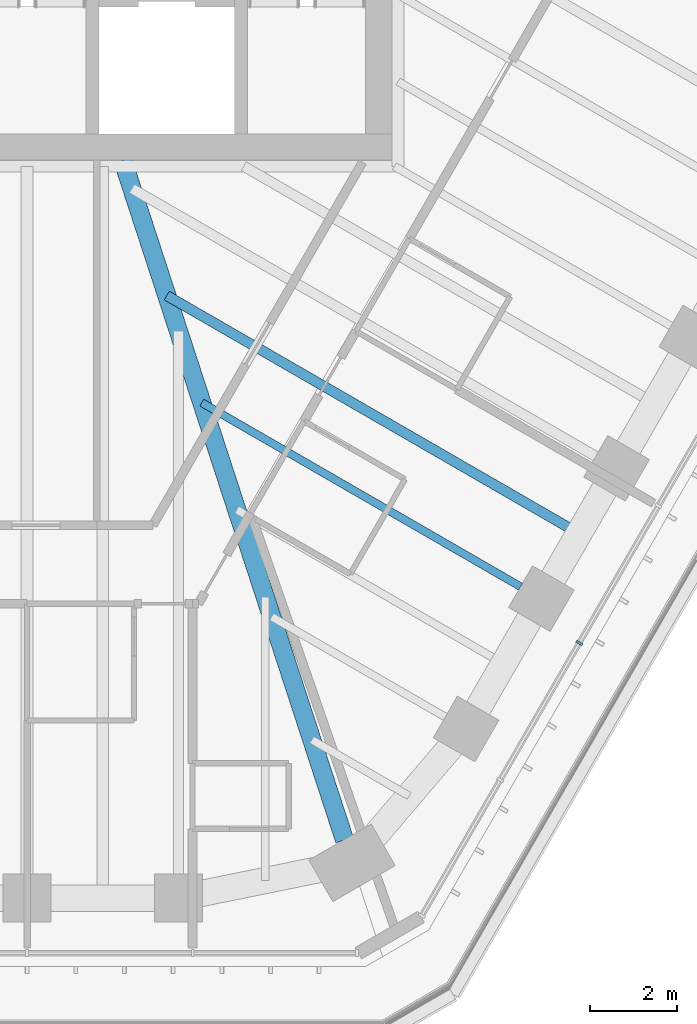
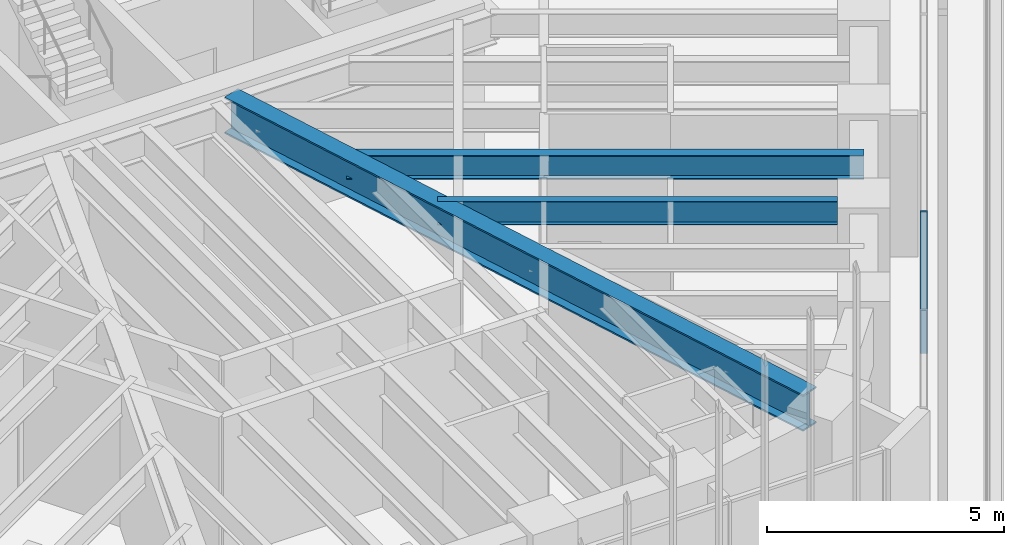
# One storey, part 37 of 127: 3 beams, 1 member, 1 element without a shape of its own.
"""IFC4 building model written with IfcOpenShell, lengths in metres."""

from ifc_helpers import new_model, si_unit, direction, frame, origin, origin_2d, place, context, subcontext, project, spatial, rectangle, i_section, extrude, material, material_profile, profile_set, type_object, element, aggregate, save


model = new_model("IFC4")

# Units and contexts
model_context = context("Model", 3, precision=1e-05, world=origin(), true_north=direction((0.0, 1.0)))
body_context = subcontext(model_context, "Body", "Model", "MODEL_VIEW")
ifc_project = project(units=[si_unit("LENGTHUNIT", "METRE"), si_unit("AREAUNIT", "SQUARE_METRE"), si_unit("VOLUMEUNIT", "CUBIC_METRE"), si_unit("PLANEANGLEUNIT", "RADIAN"), si_unit("MASSUNIT", "GRAM", prefix="KILO")], contexts=[model_context])

# Site, building, storey
site_placement = place(None, origin())
site = spatial("IfcSite", under=ifc_project, at=site_placement, CompositionType="ELEMENT")
building_placement = place(site_placement, origin())
building = spatial("IfcBuilding", under=site, at=building_placement, Name="Sandreach Pilgrim Tower", CompositionType="ELEMENT")
storey_placement = place(building_placement, frame((0.0, 0.0, 257.0)))
storey = spatial("IfcBuildingStorey", under=building, at=storey_placement, Name="L64", CompositionType="ELEMENT", Elevation=257.0)

# Curtain wall, member
ifc_material_1 = material(Name="Aluminium framed curtain wall", Category="aluminium")
curtain_wall_type = type_object("IfcCurtainWallType", Name="Suite tower curtain wall", PredefinedType="NOTDEFINED", material=ifc_material_1)
curtain_wall_placement = place(storey_placement, origin())
curtain_wall = element("IfcCurtainWall", 1, at=curtain_wall_placement, inside=storey, type_object=curtain_wall_type, Name="CW-4 L64 SE", PredefinedType="NOTDEFINED")
ifc_material_2 = material(Name="Aluminium extrusion", Category="aluminium")
ifc_material_profile_1 = material_profile(ifc_material_2, rectangle(XDim=0.06005859375, YDim=0.159912109375, at=origin_2d()), Name="CW-4M 60X160")
ifc_profile_set_1 = profile_set([ifc_material_profile_1], Name="Aluminium extrusion")
member_type = type_object("IfcMemberType", Name="CW-4 mullion", PredefinedType="MULLION", material=ifc_profile_set_1)
member_placement = place(storey_placement, frame((12.642822265625, -17.7548828125, 0.0), z_axis=(0.0, 0.0, 1.0), x_axis=(-0.5, -0.866025403784, 0.0)))
member = element("IfcMember", 2, at=member_placement, type_object=member_type, Name="CW-4 mullion 8", PredefinedType="MULLION", context=body_context, shape_type="SweptSolid", body=[
    extrude(rectangle(XDim=0.06005859375, YDim=0.159912109375, at=origin_2d()), origin(), (0.0, 0.0, 1.0), 3.639892578125),
])
aggregate(curtain_wall, [member])

# Beams
ifc_material_3 = material(Name="Steel ASTM A992 Grade 50", Category="steel")
ifc_material_profile_2 = material_profile(ifc_material_3, i_section(OverallWidth=0.421630859375, OverallDepth=0.937255859375, WebThickness=0.0224609375, FlangeThickness=0.039794921875, at=origin_2d()), Name="W36X282")
ifc_profile_set_2 = profile_set([ifc_material_profile_2], Name="Steel ASTM A992 Grade 50")
beam_type_1 = type_object("IfcBeamType", Name="Corner girder W36X282", PredefinedType="BEAM", material=ifc_profile_set_2)
beam_1_placement = place(storey_placement, frame((7.268310546875, -22.2666015625, 3.17138671875), z_axis=(-0.310308570047, 0.950635887896, 0.0), x_axis=(-0.950635887896, -0.310308570047, 0.0)))
element("IfcBeam", 3, at=beam_1_placement, inside=storey, type_object=beam_type_1, Name="BM L64 CG22", PredefinedType="BEAM", context=body_context, shape_type="SweptSolid", body=[
    extrude(i_section(OverallWidth=0.421630859375, OverallDepth=0.937255859375, WebThickness=0.0224609375, FlangeThickness=0.039794921875, at=origin_2d()), origin(), (0.0, 0.0, 1.0), 16.375),
])
ifc_material_4 = material(Name="Steel ASTM A992 Grade 50", Category="steel")
ifc_material_profile_3 = material_profile(ifc_material_4, i_section(OverallWidth=0.1787109375, OverallDepth=0.60205078125, WebThickness=0.010986328125, FlangeThickness=0.014892578125, at=origin_2d()), Name="W24X62")
ifc_profile_set_3 = profile_set([ifc_material_profile_3], Name="Steel ASTM A992 Grade 50")
beam_type_2 = type_object("IfcBeamType", Name="Floor beam W24X62", PredefinedType="BEAM", material=ifc_profile_set_3)
beam_2_placement = place(storey_placement, frame((11.29638671875, -16.466796875, 3.339111328125), z_axis=(-0.866026819143, 0.499997548519, 0.0), x_axis=(-0.499997548519, -0.866026819143, 0.0)))
element("IfcBeam", 4, at=beam_2_placement, inside=storey, type_object=beam_type_2, Name="BM L64 F20", PredefinedType="BEAM", context=body_context, shape_type="SweptSolid", body=[
    extrude(i_section(OverallWidth=0.1787109375, OverallDepth=0.60205078125, WebThickness=0.010986328125, FlangeThickness=0.014892578125, at=origin_2d()), origin(), (0.0, 0.0, 1.0), 8.4248046875),
])
ifc_material_5 = material(Name="Steel ASTM A992 Grade 50", Category="steel")
ifc_material_profile_4 = material_profile(ifc_material_5, i_section(OverallWidth=0.23046875, OverallDepth=0.6171875, WebThickness=0.01318359375, FlangeThickness=0.022216796875, at=origin_2d()), Name="W24X94")
ifc_profile_set_4 = profile_set([ifc_material_profile_4], Name="Steel ASTM A992 Grade 50")
beam_type_3 = type_object("IfcBeamType", Name="Floor beam W24X94", PredefinedType="BEAM", material=ifc_profile_set_4)
beam_3_placement = place(storey_placement, frame((12.634033203125, -15.250244140625, 3.331298828125), z_axis=(-0.866019500887, 0.500010223979, 0.0), x_axis=(-0.500010223979, -0.866019500887, 0.0)))
element("IfcBeam", 5, at=beam_3_placement, inside=storey, type_object=beam_type_3, Name="BM L64 FM19", PredefinedType="BEAM", context=body_context, shape_type="SweptSolid", body=[
    extrude(i_section(OverallWidth=0.23046875, OverallDepth=0.6171875, WebThickness=0.01318359375, FlangeThickness=0.022216796875, at=origin_2d()), origin(), (0.0, 0.0, 1.0), 10.893310546875),
])

save(model, "model.ifc")
